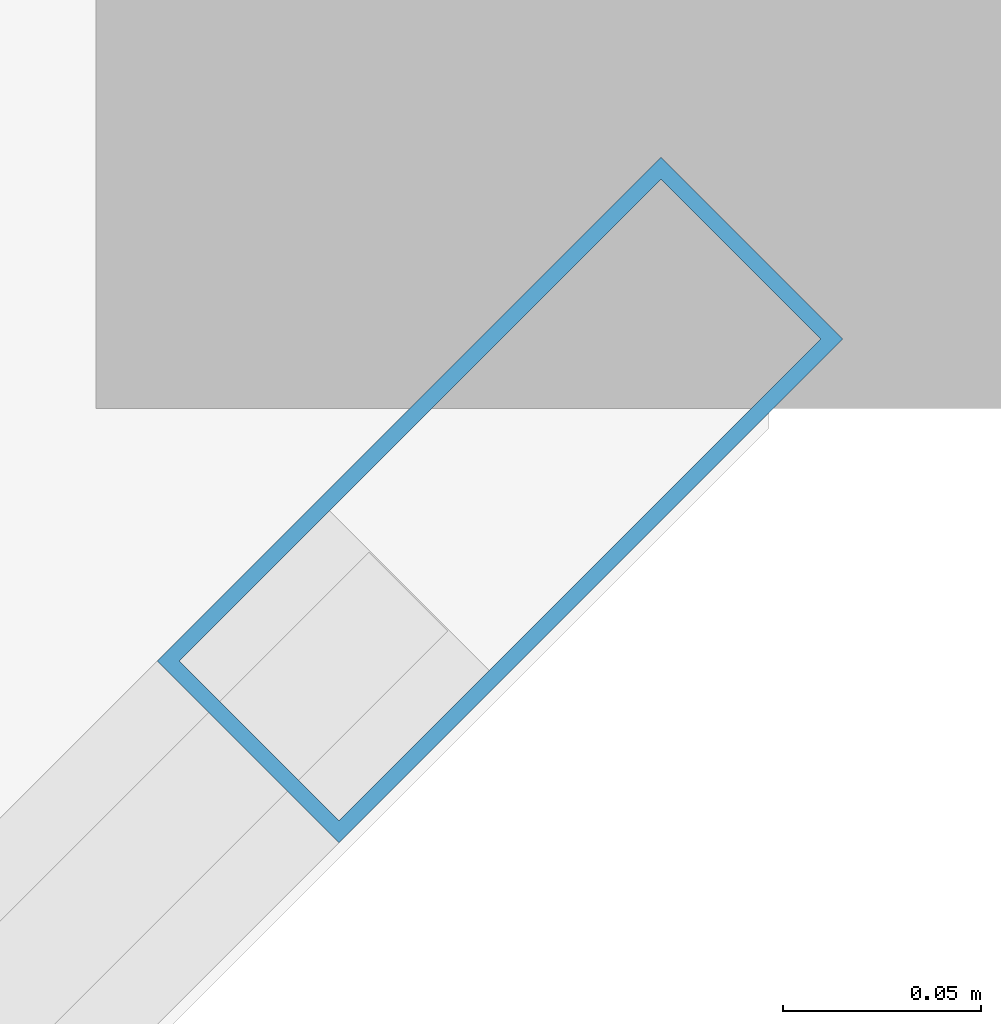
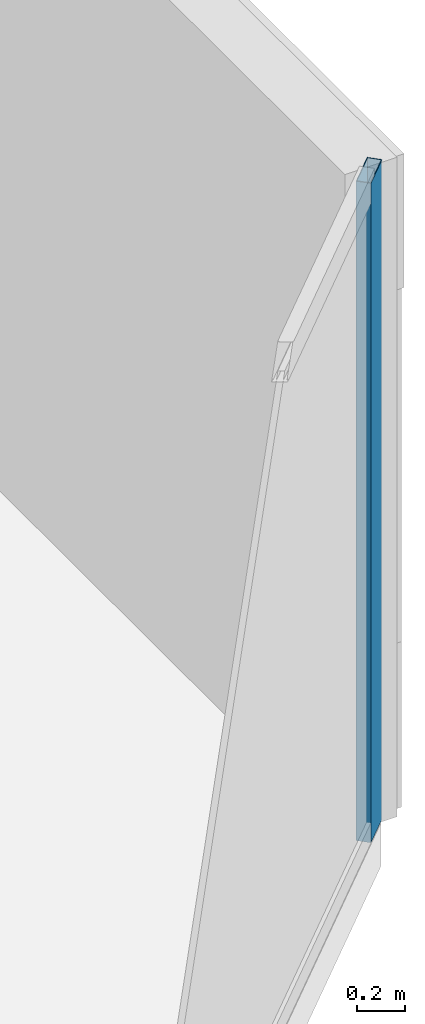
# One storey, part 15 of 31: 1 member, 1 element without a shape of its own.
"""IFC4 building model written with IfcOpenShell, lengths in metres."""

from ifc_helpers import new_model, si_unit, direction, frame, origin, origin_2d, place, context, subcontext, project, spatial, hollow_rectangle, extrude, material, layer, layer_set, material_profile, profile_set, type_object, element, aggregate, save


model = new_model("IFC4")

# Units and contexts
model_context = context("Model", 3, precision=1e-05, world=origin(), true_north=direction((0.0, 1.0)))
body_context = subcontext(model_context, "Body", "Model", "MODEL_VIEW")
ifc_project = project(units=[si_unit("LENGTHUNIT", "METRE"), si_unit("AREAUNIT", "SQUARE_METRE"), si_unit("VOLUMEUNIT", "CUBIC_METRE"), si_unit("PLANEANGLEUNIT", "RADIAN"), si_unit("MASSUNIT", "GRAM", prefix="KILO")], contexts=[model_context])

# Site, building, storey
site_placement = place(None, origin())
site = spatial("IfcSite", under=ifc_project, at=site_placement, CompositionType="ELEMENT")
building_placement = place(site_placement, origin())
building = spatial("IfcBuilding", under=site, at=building_placement, Name="Tanjung Sevakor Pilgrim Tower", CompositionType="ELEMENT")
storey_placement = place(building_placement, frame((0.0, 0.0, 169.2900390625)))
storey = spatial("IfcBuildingStorey", under=building, at=storey_placement, Name="L47", CompositionType="ELEMENT", Elevation=169.2900390625)

# Curtain wall, member
ifc_material_1 = material(Name="Aluminium 6063-T6 and Low-E Glass", Category="aluminium")
ifc_layer = layer(ifc_material_1, 0.179931640625)
ifc_layer_set = layer_set([ifc_layer], Name="CW-SYS-CHAM")
curtain_wall_type = type_object("IfcCurtainWallType", Name="CW-SYS-CHAM", PredefinedType="NOTDEFINED", material=ifc_layer_set)
curtain_wall_placement = place(storey_placement, origin())
curtain_wall = element("IfcCurtainWall", 1, at=curtain_wall_placement, inside=storey, type_object=curtain_wall_type, Name="L47 Curtain Wall CW-CHM-L47-MAIN-5", PredefinedType="NOTDEFINED")
ifc_material_2 = material(Name="Aluminium 6063-T6", Category="aluminium")
ifc_material_profile = material_profile(ifc_material_2, hollow_rectangle(XDim=0.06494140625, YDim=0.179931640625, WallThickness=0.00390625, at=origin_2d()))
ifc_profile_set = profile_set([ifc_material_profile], Name="Aluminium 6063-T6")
member_type = type_object("IfcMemberType", Name="TYPE-CWM-1", PredefinedType="MULLION", material=ifc_profile_set)
member_placement = place(storey_placement, frame((99.85205078125, 16.12890625, 0.0), z_axis=(0.0, 0.0, 1.0), x_axis=(-0.707106781187, 0.707106781187, 0.0)))
member = element("IfcMember", 2, at=member_placement, type_object=member_type, Name="CW-CHM mullion 2", PredefinedType="MULLION", context=body_context, shape_type="SweptSolid", body=[
    extrude(hollow_rectangle(XDim=0.06494140625, YDim=0.179931640625, WallThickness=0.00390625, at=origin_2d()), origin(), (0.0, 0.0, 1.0), 3.349853515625),
])
aggregate(curtain_wall, [member])

save(model, "model.ifc")
